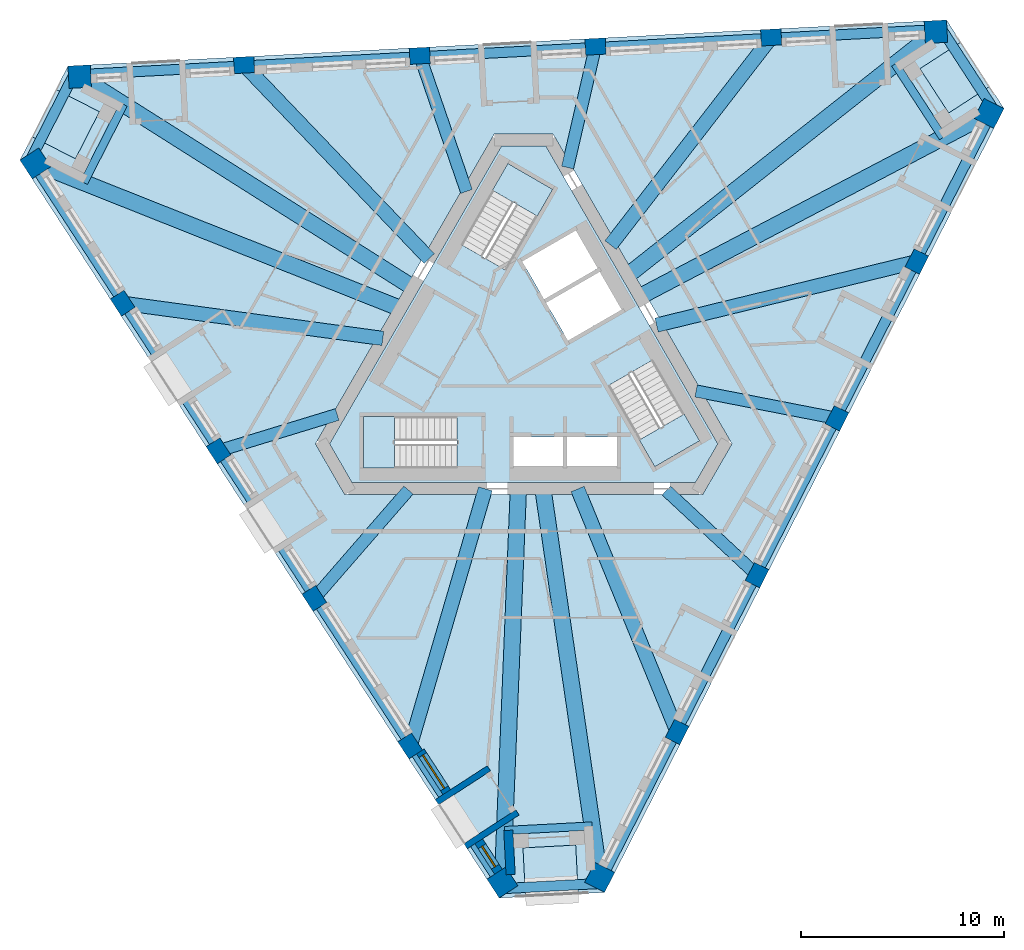
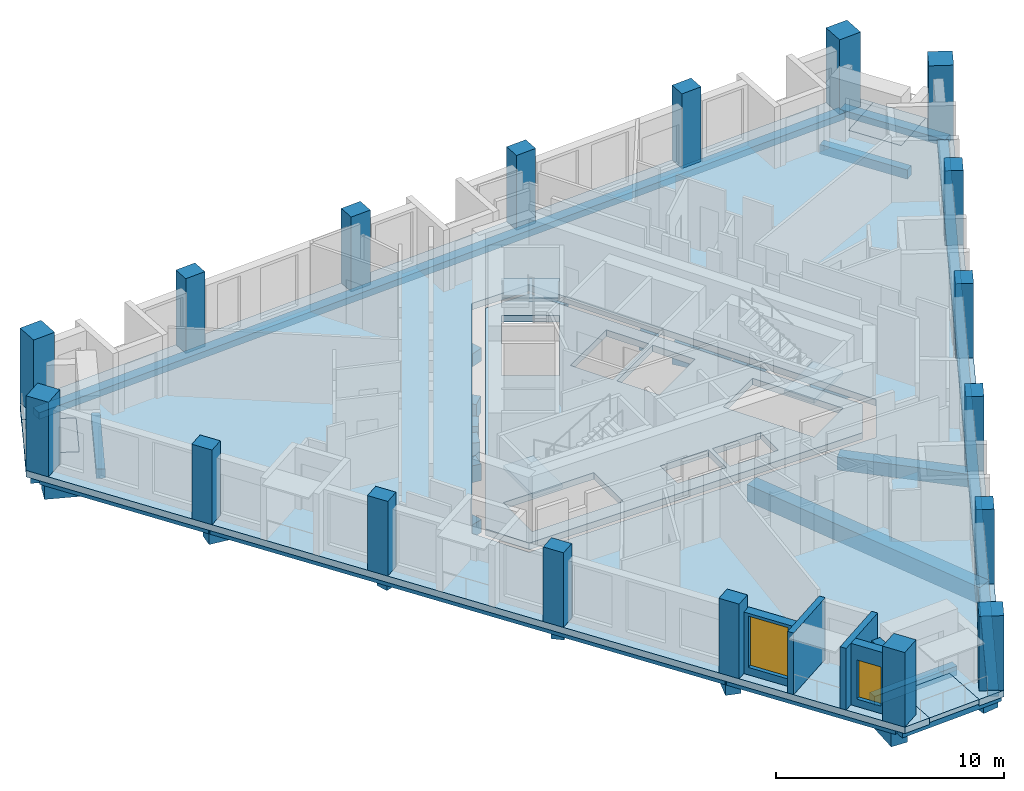
# One storey, part 1 of 13: 27 beams, 18 columns, 8 slabs, 5 walls, 2 windows, 2 openings, 3 elements without a shape of their own.
"""IFC4 building model written with IfcOpenShell, lengths in metres."""

from ifc_helpers import new_model, si_unit, direction, frame, frame_2d, origin, origin_2d, place, context, subcontext, project, spatial, polyline, rectangle, outline, extrude, material, layer, layer_set, material_profile, profile_set, type_object, element, fill, aggregate, save


model = new_model("IFC4")

# Units and contexts
model_context = context("Model", 3, precision=1e-05, world=origin(), true_north=direction((0.0, 1.0)))
body_context = subcontext(model_context, "Body", "Model", "MODEL_VIEW")
ifc_project = project(units=[si_unit("LENGTHUNIT", "METRE"), si_unit("AREAUNIT", "SQUARE_METRE"), si_unit("VOLUMEUNIT", "CUBIC_METRE"), si_unit("PLANEANGLEUNIT", "RADIAN"), si_unit("MASSUNIT", "GRAM", prefix="KILO")], contexts=[model_context])

# Site, building, storey
site_placement = place(None, origin())
site = spatial("IfcSite", under=ifc_project, at=site_placement, CompositionType="ELEMENT")
building_placement = place(site_placement, origin())
building = spatial("IfcBuilding", under=site, at=building_placement, Name="Tramontana Tower", CompositionType="ELEMENT")
storey_placement = place(building_placement, frame((0.0, 0.0, 290.39990234375)))
storey = spatial("IfcBuildingStorey", under=building, at=storey_placement, Name="L68", CompositionType="ELEMENT", Elevation=290.39990234375)

# Columns
ifc_material_1 = material(Name="Concrete 55 MPa", Category="concrete")
ifc_material_profile_1 = material_profile(ifc_material_1, rectangle(XDim=1.10009765625, YDim=1.10009765625, at=origin_2d()), Name="Mega column 1100X1100 55 MPa")
ifc_profile_set_1 = profile_set([ifc_material_profile_1], Name="Concrete 55 MPa")
column_type_1 = type_object("IfcColumnType", Name="Mega column 1100X1100 55 MPa", PredefinedType="COLUMN", material=ifc_profile_set_1)
for number, where, z_axis, x_axis, name in (
    (1, (-24.0302734375, 9.55419921875, 0.0), (0.0, 0.0, 1.0), (0.544639035015, -0.838670567945, 0.0), "Mega column C7K1 L68"),
    (2, (-1.0458984375, -25.8388671875, 0.0), (0.0, 0.0, 1.0), (0.544639035015, -0.838670567945, 0.0), "Mega column C7K2 L68"),
    (3, (3.740966796875, -25.587890625, 0.0), (0.0, 0.0, 1.0), (0.45399049974, 0.891006524188, 0.0), "Mega column C7K3 L68"),
    (4, (22.900146484375, 12.013671875, 0.0), (0.0, 0.0, 1.0), (0.45399049974, 0.891006524188, 0.0), "Mega column C7K4 L68"),
    (5, (20.289306640625, 16.033935546875, 0.0), (0.0, 0.0, 1.0), (-0.998629534755, -0.052335956243, 0.0), "Mega column C7K5 L68"),
    (6, (-21.854248046875, 13.8251953125, 0.0), (0.0, 0.0, 1.0), (-0.998629534755, -0.052335956243, 0.0), "Mega column C7K6 L68"),
):
    element("IfcColumn", number, at=place(storey_placement, frame(where, z_axis=z_axis, x_axis=x_axis)), inside=storey, type_object=column_type_1, Name=name, PredefinedType="COLUMN", context=body_context, shape_type="SweptSolid", body=[
        extrude(rectangle(XDim=1.10009765625, YDim=1.10009765625, at=origin_2d()), origin(), (0.0, 0.0, 1.0), 4.0),
    ])
ifc_material_2 = material(Name="Concrete 55 MPa", Category="concrete")
ifc_material_profile_2 = material_profile(ifc_material_2, rectangle(XDim=1.0, YDim=0.800048828125, at=origin_2d()), Name="Pier column 1000X800 55 MPa")
ifc_profile_set_2 = profile_set([ifc_material_profile_2], Name="Concrete 55 MPa")
column_type_2 = type_object("IfcColumnType", Name="Pier column 1000X800 55 MPa", PredefinedType="COLUMN", material=ifc_profile_set_2)
for number, where, z_axis, x_axis, name in (
    (7, (-19.739013671875, 2.670654296875, 0.0), (0.0, 0.0, 1.0), (0.544639035015, -0.838670567945, 0.0), "Pier column C7F01 L68"),
    (8, (-15.022216796875, -4.592529296875, 0.0), (0.0, 0.0, 1.0), (0.544639035015, -0.838670567945, 0.0), "Pier column C7F02 L68"),
    (9, (-10.3056640625, -11.855712890625, 0.0), (0.0, 0.0, 1.0), (0.544639035015, -0.838670567945, 0.0), "Pier column C7F03 L68"),
    (10, (-5.5888671875, -19.11865234375, 0.0), (0.0, 0.0, 1.0), (0.544639035015, -0.838670567945, 0.0), "Pier column C7F04 L68"),
    (11, (7.556640625, -18.4296875, 0.0), (0.0, 0.0, 1.0), (0.45399049974, 0.891006524188, 0.0), "Pier column C7F05 L68"),
    (12, (11.48828125, -10.71337890625, 0.0), (0.0, 0.0, 1.0), (0.45399049974, 0.891006524188, 0.0), "Pier column C7F06 L68"),
    (13, (15.419921875, -2.9970703125, 0.0), (0.0, 0.0, 1.0), (0.45399049974, 0.891006524188, 0.0), "Pier column C7F07 L68"),
    (14, (19.351806640625, 4.71923828125, 0.0), (0.0, 0.0, 1.0), (0.45399049974, 0.891006524188, 0.0), "Pier column C7F08 L68"),
    (15, (12.182373046875, 15.75927734375, 0.0), (0.0, 0.0, 1.0), (-0.998629534755, -0.052335956243, 0.0), "Pier column C7F09 L68"),
    (16, (3.533935546875, 15.305908203125, 0.0), (0.0, 0.0, 1.0), (-0.998629534755, -0.052335956243, 0.0), "Pier column C7F10 L68"),
    (17, (-5.114501953125, 14.852783203125, 0.0), (0.0, 0.0, 1.0), (-0.998629534755, -0.052335956243, 0.0), "Pier column C7F11 L68"),
    (18, (-13.762939453125, 14.3994140625, 0.0), (0.0, 0.0, 1.0), (-0.998629534755, -0.052335956243, 0.0), "Pier column C7F12 L68"),
):
    element("IfcColumn", number, at=place(storey_placement, frame(where, z_axis=z_axis, x_axis=x_axis)), inside=storey, type_object=column_type_2, Name=name, PredefinedType="COLUMN", context=body_context, shape_type="SweptSolid", body=[
        extrude(rectangle(XDim=1.0, YDim=0.800048828125, at=origin_2d()), origin(), (0.0, 0.0, 1.0), 4.0),
    ])

# Beams
ifc_material_3 = material(Name="Concrete 40 MPa", Category="concrete")
ifc_material_profile_3 = material_profile(ifc_material_3, rectangle(XDim=0.5, YDim=0.35009765625, at=origin_2d()), Name="RC EDGE BEAM 500X350 40 MPa")
ifc_profile_set_3 = profile_set([ifc_material_profile_3], Name="Concrete 40 MPa")
beam_type_1 = type_object("IfcBeamType", Name="RC EDGE BEAM 500X350 40 MPa", PredefinedType="SPANDREL", material=ifc_profile_set_3)
beam_1_placement = place(storey_placement, frame((-24.1142578125, 9.499755859375, -0.52490234375), z_axis=(0.544636517119, -0.838672203081, 0.0), x_axis=(0.838672203081, 0.544636517119, 0.0)))
element("IfcBeam", 19, at=beam_1_placement, inside=storey, type_object=beam_type_1, Name="Spandrel beam S0 L68", PredefinedType="SPANDREL", context=body_context, shape_type="SweptSolid", body=[
    extrude(rectangle(XDim=0.5, YDim=0.35009765625, at=origin_2d()), origin(), (0.0, 0.0, 1.0), 42.201416015625),
])
beam_2_placement = place(storey_placement, frame((3.830078125, -25.63330078125, -0.52490234375), z_axis=(0.453990170761, 0.891006691811, 0.0), x_axis=(-0.891006691811, 0.453990170761, 0.0)))
element("IfcBeam", 20, at=beam_2_placement, inside=storey, type_object=beam_type_1, Name="Spandrel beam S1 L68", PredefinedType="SPANDREL", context=body_context, shape_type="SweptSolid", body=[
    extrude(rectangle(XDim=0.5, YDim=0.35009765625, at=origin_2d()), origin(), (0.0, 0.0, 1.0), 42.201171875),
])
beam_3_placement = place(storey_placement, frame((20.2841796875, 16.1337890625, -0.52490234375), z_axis=(-0.998629423141, -0.052338085918, 0.0), x_axis=(0.052338085918, -0.998629423141, 0.0)))
element("IfcBeam", 21, at=beam_3_placement, inside=storey, type_object=beam_type_1, Name="Spandrel beam S2 L68", PredefinedType="SPANDREL", context=body_context, shape_type="SweptSolid", body=[
    extrude(rectangle(XDim=0.5, YDim=0.35009765625, at=origin_2d()), origin(), (0.0, 0.0, 1.0), 42.201416015625),
])
for number, where, z_axis, x_axis, name in (
    (22, (-22.03125, 14.141357421875, -0.52490234375), (-0.453966603753, -0.891018699398, 0.0), (0.891018699398, -0.453966603753, 0.0), "Spandrel beam K0 L68"),
    (23, (-1.231201171875, -26.150390625, -0.52490234375), (0.99862935635, 0.05233936029, 0.0), (-0.05233936029, 0.99862935635, 0.0), "Spandrel beam K1 L68"),
    (24, (23.262451171875, 12.0087890625, -0.52490234375), (-0.544641495757, 0.838668969916, 0.0), (-0.838668969916, -0.544641495757, 0.0), "Spandrel beam K2 L68"),
):
    element("IfcBeam", number, at=place(storey_placement, frame(where, z_axis=z_axis, x_axis=x_axis)), inside=storey, type_object=beam_type_1, Name=name, PredefinedType="SPANDREL", context=body_context, shape_type="SweptSolid", body=[
        extrude(rectangle(XDim=0.5, YDim=0.35009765625, at=origin_2d()), origin(), (0.0, 0.0, 1.0), 5.1962890625),
    ])
ifc_material_4 = material(Name="Concrete 40 MPa", Category="concrete")
ifc_material_profile_4 = material_profile(ifc_material_4, rectangle(XDim=0.60009765625, YDim=0.699951171875, at=origin_2d()), Name="RC GIRDER 600X700 40 MPa")
ifc_profile_set_4 = profile_set([ifc_material_profile_4], Name="Concrete 40 MPa")
beam_type_2 = type_object("IfcBeamType", Name="RC GIRDER 600X700 40 MPa", PredefinedType="BEAM", material=ifc_profile_set_4)
beam_4_placement = place(storey_placement, frame((-15.022216796875, -4.592529296875, -0.699951171875), z_axis=(0.956311245936, 0.292350476137, 0.0), x_axis=(-0.292350476137, 0.956311245936, 0.0)))
element("IfcBeam", 25, at=beam_4_placement, inside=storey, type_object=beam_type_2, Name="Radial girder C7F02 L68", PredefinedType="BEAM", context=body_context, shape_type="SweptSolid", body=[
    extrude(rectangle(XDim=0.60009765625, YDim=0.699951171875, at=origin_2d()), origin(), (0.0, 0.0, 1.0), 6.111328125),
])
beam_5_placement = place(storey_placement, frame((-10.3056640625, -11.855712890625, -0.699951171875), z_axis=(0.656054652409, 0.754713384705, 0.0), x_axis=(-0.754713384705, 0.656054652409, 0.0)))
element("IfcBeam", 26, at=beam_5_placement, inside=storey, type_object=beam_type_2, Name="Radial girder C7F03 L68", PredefinedType="BEAM", context=body_context, shape_type="SweptSolid", body=[
    extrude(rectangle(XDim=0.60009765625, YDim=0.699951171875, at=origin_2d()), origin(), (0.0, 0.0, 1.0), 7.06494140625),
])
beam_6_placement = place(storey_placement, frame((11.48828125, -10.71337890625, -0.699951171875), z_axis=(-0.731344808312, 0.682007896843, 0.0), x_axis=(-0.682007896843, -0.731344808312, 0.0)))
element("IfcBeam", 27, at=beam_6_placement, inside=storey, type_object=beam_type_2, Name="Radial girder C7F06 L68", PredefinedType="BEAM", context=body_context, shape_type="SweptSolid", body=[
    extrude(rectangle(XDim=0.60009765625, YDim=0.699951171875, at=origin_2d()), origin(), (0.0, 0.0, 1.0), 6.111328125),
])
beam_7_placement = place(storey_placement, frame((15.419921875, -2.9970703125, -0.699951171875), z_axis=(-0.981630853668, 0.190790112761, 0.0), x_axis=(-0.190790112761, -0.981630853668, 0.0)))
element("IfcBeam", 28, at=beam_7_placement, inside=storey, type_object=beam_type_2, Name="Radial girder C7F07 L68", PredefinedType="BEAM", context=body_context, shape_type="SweptSolid", body=[
    extrude(rectangle(XDim=0.60009765625, YDim=0.699951171875, at=origin_2d()), origin(), (0.0, 0.0, 1.0), 7.06494140625),
])
beam_8_placement = place(storey_placement, frame((3.533935546875, 15.305908203125, -0.699951171875), z_axis=(-0.224955788451, -0.974368971818, 0.0), x_axis=(0.974368971818, -0.224955788451, 0.0)))
element("IfcBeam", 29, at=beam_8_placement, inside=storey, type_object=beam_type_2, Name="Radial girder C7F10 L68", PredefinedType="BEAM", context=body_context, shape_type="SweptSolid", body=[
    extrude(rectangle(XDim=0.60009765625, YDim=0.699951171875, at=origin_2d()), origin(), (0.0, 0.0, 1.0), 6.111328125),
])
beam_9_placement = place(storey_placement, frame((-5.114501953125, 14.852783203125, -0.699951171875), z_axis=(0.325583843266, -0.945513173364, 0.0), x_axis=(0.945513173364, 0.325583843266, 0.0)))
element("IfcBeam", 30, at=beam_9_placement, inside=storey, type_object=beam_type_2, Name="Radial girder C7F11 L68", PredefinedType="BEAM", context=body_context, shape_type="SweptSolid", body=[
    extrude(rectangle(XDim=0.60009765625, YDim=0.699951171875, at=origin_2d()), origin(), (0.0, 0.0, 1.0), 7.065185546875),
])
ifc_material_5 = material(Name="Concrete 40 MPa", Category="concrete")
ifc_material_profile_5 = material_profile(ifc_material_5, rectangle(XDim=0.699951171875, YDim=0.89990234375, at=origin_2d()), Name="RC GIRDER 700X900 40 MPa")
ifc_profile_set_5 = profile_set([ifc_material_profile_5], Name="Concrete 40 MPa")
beam_type_3 = type_object("IfcBeamType", Name="RC GIRDER 700X900 40 MPa", PredefinedType="BEAM", material=ifc_profile_set_5)
beam_10_placement = place(storey_placement, frame((-19.739013671875, 2.670654296875, -0.7998046875), z_axis=(0.990971820042, -0.134070324396, 0.0), x_axis=(0.134070324396, 0.990971820042, 0.0)))
element("IfcBeam", 31, at=beam_10_placement, inside=storey, type_object=beam_type_3, Name="Radial girder C7F01 L68", PredefinedType="BEAM", context=body_context, shape_type="SweptSolid", body=[
    extrude(rectangle(XDim=0.699951171875, YDim=0.89990234375, at=origin_2d()), origin(), (0.0, 0.0, 1.0), 12.923583984375),
])
beam_11_placement = place(storey_placement, frame((-5.5888671875, -19.11865234375, -0.7998046875), z_axis=(0.280592184152, 0.959827081402, 0.0), x_axis=(-0.959827081402, 0.280592184152, 0.0)))
element("IfcBeam", 32, at=beam_11_placement, inside=storey, type_object=beam_type_3, Name="Radial girder C7F04 L68", PredefinedType="BEAM", context=body_context, shape_type="SweptSolid", body=[
    extrude(rectangle(XDim=0.699951171875, YDim=0.89990234375, at=origin_2d()), origin(), (0.0, 0.0, 1.0), 13.186279296875),
])
beam_12_placement = place(storey_placement, frame((7.556640625, -18.4296875, -0.7998046875), z_axis=(-0.379376408021, 0.925242422848, 0.0), x_axis=(-0.925242422848, -0.379376408021, 0.0)))
element("IfcBeam", 33, at=beam_12_placement, inside=storey, type_object=beam_type_3, Name="Radial girder C7F05 L68", PredefinedType="BEAM", context=body_context, shape_type="SweptSolid", body=[
    extrude(rectangle(XDim=0.699951171875, YDim=0.89990234375, at=origin_2d()), origin(), (0.0, 0.0, 1.0), 12.92333984375),
])
beam_13_placement = place(storey_placement, frame((19.351806640625, 4.71923828125, -0.7998046875), z_axis=(-0.971531149173, -0.2369118532, 0.0), x_axis=(0.2369118532, -0.971531149173, 0.0)))
element("IfcBeam", 34, at=beam_13_placement, inside=storey, type_object=beam_type_3, Name="Radial girder C7F08 L68", PredefinedType="BEAM", context=body_context, shape_type="SweptSolid", body=[
    extrude(rectangle(XDim=0.699951171875, YDim=0.89990234375, at=origin_2d()), origin(), (0.0, 0.0, 1.0), 13.1865234375),
])
beam_14_placement = place(storey_placement, frame((12.182373046875, 15.75927734375, -0.7998046875), z_axis=(-0.611594268049, -0.791171568808, 0.0), x_axis=(0.791171568808, -0.611594268049, 0.0)))
element("IfcBeam", 35, at=beam_14_placement, inside=storey, type_object=beam_type_3, Name="Radial girder C7F09 L68", PredefinedType="BEAM", context=body_context, shape_type="SweptSolid", body=[
    extrude(rectangle(XDim=0.699951171875, YDim=0.89990234375, at=origin_2d()), origin(), (0.0, 0.0, 1.0), 12.923583984375),
])
beam_15_placement = place(storey_placement, frame((-13.762939453125, 14.3994140625, -0.7998046875), z_axis=(0.69094809316, -0.722904373039, 0.0), x_axis=(0.722904373039, 0.69094809316, 0.0)))
element("IfcBeam", 36, at=beam_15_placement, inside=storey, type_object=beam_type_3, Name="Radial girder C7F12 L68", PredefinedType="BEAM", context=body_context, shape_type="SweptSolid", body=[
    extrude(rectangle(XDim=0.699951171875, YDim=0.89990234375, at=origin_2d()), origin(), (0.0, 0.0, 1.0), 13.186279296875),
])
ifc_material_6 = material(Name="Concrete 40 MPa", Category="concrete")
ifc_material_profile_6 = material_profile(ifc_material_6, rectangle(XDim=0.800048828125, YDim=1.10009765625, at=origin_2d()), Name="RC GIRDER 800X1100 40 MPa")
ifc_profile_set_6 = profile_set([ifc_material_profile_6], Name="Concrete 40 MPa")
beam_type_4 = type_object("IfcBeamType", Name="RC GIRDER 800X1100 40 MPa", PredefinedType="BEAM", material=ifc_profile_set_6)
beam_16_placement = place(storey_placement, frame((-24.030517578125, 9.55419921875, -0.89990234375), z_axis=(0.929246961318, -0.369459178912, 0.0), x_axis=(0.369459178912, 0.929246961318, 0.0)))
element("IfcBeam", 37, at=beam_16_placement, inside=storey, type_object=beam_type_4, Name="Radial girder C7K1 L68", PredefinedType="BEAM", context=body_context, shape_type="SweptSolid", body=[
    extrude(rectangle(XDim=0.800048828125, YDim=1.10009765625, at=origin_2d()), origin(), (0.0, 0.0, 1.0), 19.33837890625),
])
beam_17_placement = place(storey_placement, frame((-1.0458984375, -25.8388671875, -0.89990234375), z_axis=(0.040449893492, 0.999181568143, 0.0), x_axis=(-0.999181568143, 0.040449893492, 0.0)))
element("IfcBeam", 38, at=beam_17_placement, inside=storey, type_object=beam_type_4, Name="Radial girder C7K2 L68", PredefinedType="BEAM", context=body_context, shape_type="SweptSolid", body=[
    extrude(rectangle(XDim=0.800048828125, YDim=1.10009765625, at=origin_2d()), origin(), (0.0, 0.0, 1.0), 19.404541015625),
])
beam_18_placement = place(storey_placement, frame((3.7412109375, -25.587890625, -0.89990234375), z_axis=(-0.144667438406, 0.989480334451, 0.0), x_axis=(-0.989480334451, -0.144667438406, 0.0)))
element("IfcBeam", 39, at=beam_18_placement, inside=storey, type_object=beam_type_4, Name="Radial girder C7K3 L68", PredefinedType="BEAM", context=body_context, shape_type="SweptSolid", body=[
    extrude(rectangle(XDim=0.800048828125, YDim=1.10009765625, at=origin_2d()), origin(), (0.0, 0.0, 1.0), 19.338134765625),
])
beam_19_placement = place(storey_placement, frame((22.89990234375, 12.013671875, -0.89990234375), z_axis=(-0.885538061337, -0.46456683257, 0.0), x_axis=(0.46456683257, -0.885538061337, 0.0)))
element("IfcBeam", 40, at=beam_19_placement, inside=storey, type_object=beam_type_4, Name="Radial girder C7K4 L68", PredefinedType="BEAM", context=body_context, shape_type="SweptSolid", body=[
    extrude(rectangle(XDim=0.800048828125, YDim=1.10009765625, at=origin_2d()), origin(), (0.0, 0.0, 1.0), 19.404296875),
])
beam_20_placement = place(storey_placement, frame((20.289306640625, 16.03369140625, -0.89990234375), z_axis=(-0.784585689125, -0.620020400003, 0.0), x_axis=(0.620020400003, -0.784585689125, 0.0)))
element("IfcBeam", 41, at=beam_20_placement, inside=storey, type_object=beam_type_4, Name="Radial girder C7K5 L68", PredefinedType="BEAM", context=body_context, shape_type="SweptSolid", body=[
    extrude(rectangle(XDim=0.800048828125, YDim=1.10009765625, at=origin_2d()), origin(), (0.0, 0.0, 1.0), 19.338134765625),
])
beam_21_placement = place(storey_placement, frame((-21.85400390625, 13.8251953125, -0.89990234375), z_axis=(0.845090437102, -0.53462337502, 0.0), x_axis=(0.53462337502, 0.845090437102, 0.0)))
element("IfcBeam", 42, at=beam_21_placement, inside=storey, type_object=beam_type_4, Name="Radial girder C7K6 L68", PredefinedType="BEAM", context=body_context, shape_type="SweptSolid", body=[
    extrude(rectangle(XDim=0.800048828125, YDim=1.10009765625, at=origin_2d()), origin(), (0.0, 0.0, 1.0), 19.404296875),
])
ifc_material_7 = material(Name="Concrete 40 MPa", Category="concrete")
ifc_material_profile_7 = material_profile(ifc_material_7, rectangle(XDim=0.39990234375, YDim=0.5, at=origin_2d()), Name="RC TRIM BEAM 400X500 40 MPa")
ifc_profile_set_7 = profile_set([ifc_material_profile_7], Name="Concrete 40 MPa")
beam_type_5 = type_object("IfcBeamType", Name="RC TRIM BEAM 400X500 40 MPa", PredefinedType="JOIST", material=ifc_profile_set_7)
for number, where, z_axis, x_axis, name in (
    (43, (-19.69091796875, 12.456787109375, -0.599853515625), (-0.454006220993, -0.890998513635, 0.0), (0.890998513635, -0.454006220993, 0.0), "Trimmer beam K0 L68"),
    (44, (-0.9423828125, -23.28125, -0.599853515625), (0.998629204559, 0.052342256377, 0.0), (-0.052342256377, 0.998629204559, 0.0), "Trimmer beam K1 L68"),
    (45, (20.63330078125, 10.824462890625, -0.599853515625), (-0.544628679426, 0.838677292853, 0.0), (-0.838677292853, -0.544628679426, 0.0), "Trimmer beam K2 L68"),
):
    element("IfcBeam", number, at=place(storey_placement, frame(where, z_axis=z_axis, x_axis=x_axis)), inside=storey, type_object=beam_type_5, Name=name, PredefinedType="JOIST", context=body_context, shape_type="SweptSolid", body=[
        extrude(rectangle(XDim=0.39990234375, YDim=0.5, at=origin_2d()), origin(), (0.0, 0.0, 1.0), 4.319091796875),
    ])

# Slabs
ifc_material_8 = material(Name="Precast concrete 50 MPa", Category="concrete")
ifc_layer_1 = layer(ifc_material_8, 0.25)
ifc_layer_set_1 = layer_set([ifc_layer_1], Name="LT1 Loggia floor tray 250")
slab_type_1 = type_object("IfcSlabType", Name="LT1 Loggia floor tray 250", PredefinedType="FLOOR", material=ifc_layer_set_1)
slab_1_placement = place(storey_placement, frame((0.0, 0.0, -0.25)))
element("IfcSlab", 46, at=slab_1_placement, inside=storey, type_object=slab_type_1, Name="Corner loggia floor L68 K70", PredefinedType="FLOOR", context=body_context, shape_type="SweptSolid", body=[
    extrude(outline(polyline([(-23.021484375, 13.18896484375), (-20.883056640625, 12.099365234375), (-22.0634765625, 9.782958984375), (-24.201904296875, 10.87255859375), (-23.021484375, 13.18896484375)])), origin(), (0.0, 0.0, 1.0), 0.25),
])
slab_2_placement = place(storey_placement, frame((0.0, 0.0, -0.25)))
element("IfcSlab", 47, at=slab_2_placement, inside=storey, type_object=slab_type_1, Name="Corner loggia floor L68 K71", PredefinedType="FLOOR", context=body_context, shape_type="SweptSolid", body=[
    extrude(outline(polyline([(0.088623046875, -26.53173828125), (-0.036865234375, -24.135009765625), (2.5595703125, -23.9990234375), (2.68505859375, -26.395751953125), (0.088623046875, -26.53173828125)])), origin(), (0.0, 0.0, 1.0), 0.25),
])
slab_3_placement = place(storey_placement, frame((0.0, 0.0, -0.25)))
element("IfcSlab", 48, at=slab_3_placement, inside=storey, type_object=slab_type_1, Name="Corner loggia floor L68 K72", PredefinedType="FLOOR", context=body_context, shape_type="SweptSolid", body=[
    extrude(outline(polyline([(22.932861328125, 13.3427734375), (20.919921875, 12.03564453125), (19.50390625, 14.216064453125), (21.516845703125, 15.523193359375), (22.932861328125, 13.3427734375)])), origin(), (0.0, 0.0, 1.0), 0.25),
])
ifc_material_9 = material(Name="Concrete 40 MPa", Category="concrete")
ifc_layer_2 = layer(ifc_material_9, 0.35009765625)
ifc_layer_set_2 = layer_set([ifc_layer_2], Name="PT FLAT SLAB 350 40 MPa")
slab_type_2 = type_object("IfcSlabType", Name="PT FLAT SLAB 350 40 MPa", PredefinedType="FLOOR", material=ifc_layer_set_2)
slab_4_placement = place(storey_placement, frame((0.0, 0.0, -0.349853515625)))
element("IfcSlab", 49, at=slab_4_placement, inside=storey, type_object=slab_type_2, Name="Floor slab L68", PredefinedType="FLOOR", context=body_context, shape_type="SweptSolid", body=[
    extrude(outline(polyline([(21.5166015625, 15.523193359375), (19.50390625, 14.216064453125), (20.919921875, 12.035400390625), (22.932861328125, 13.3427734375), (23.639892578125, 12.25390625), (3.9814453125, -26.32763671875), (2.68505859375, -26.3955078125), (2.5595703125, -23.998779296875), (-0.036865234375, -24.135009765625), (0.088623046875, -26.53173828125), (-1.20751953125, -26.599609375), (-24.791259765625, 9.7158203125), (-24.201904296875, 10.872314453125), (-22.0634765625, 9.782958984375), (-20.883056640625, 12.099609375), (-23.021484375, 13.189208984375), (-22.43212890625, 14.345703125), (20.809814453125, 16.61181640625), (21.5166015625, 15.523193359375)]), holes=[polyline([(-10.248046875, -4.25), (-8.8046875, -6.75), (8.8046875, -6.75), (10.248046875, -4.25), (1.443359375, 11.0), (-1.443359375, 11.0), (-10.248046875, -4.25)])]), origin(), (0.0, 0.0, 1.0), 0.349853515625),
])
slab_5_placement = place(storey_placement, frame((0.0, 0.0, -0.349853515625)))
element("IfcSlab", 50, at=slab_5_placement, inside=storey, type_object=slab_type_2, Name="Core floor slab L68", PredefinedType="FLOOR", context=body_context, shape_type="SweptSolid", body=[
    extrude(outline(polyline([(9.55517578125, -4.25), (8.458251953125, -6.14990234375), (-8.458251953125, -6.14990234375), (-9.55517578125, -4.25), (-1.096923828125, 10.39990234375), (1.096923828125, 10.39990234375), (9.55517578125, -4.25)]), holes=[polyline([(8.659912109375, -4.099365234375), (6.35986328125, -0.115478515625), (4.151611328125, -1.390625), (6.451416015625, -5.374267578125), (8.659912109375, -4.099365234375)]), polyline([(3.829833984375, 4.2666015625), (1.101806640625, 2.69140625), (2.177001953125, 0.82958984375), (4.90478515625, 2.404541015625), (3.829833984375, 4.2666015625)]), polyline([(4.590087890625, -3.89990234375), (2.139892578125, -3.89990234375), (2.139892578125, -5.449951171875), (4.590087890625, -5.449951171875), (4.590087890625, -3.89990234375)]), polyline([(2.65478515625, 6.3017578125), (-0.072998046875, 4.726806640625), (1.001953125, 2.86474609375), (3.729736328125, 4.439697265625), (2.65478515625, 6.3017578125)]), polyline([(1.93994140625, -5.449951171875), (1.93994140625, -3.89990234375), (-0.510009765625, -3.89990234375), (-0.510009765625, -5.449951171875), (1.93994140625, -5.449951171875)]), polyline([(-0.77978515625, 9.54931640625), (-3.079833984375, 5.565673828125), (-0.87158203125, 4.29052734375), (1.428466796875, 8.2744140625), (-0.77978515625, 9.54931640625)]), polyline([(-7.8798828125, -5.449951171875), (-3.280029296875, -5.449951171875), (-3.280029296875, -2.89990234375), (-7.8798828125, -2.89990234375), (-7.8798828125, -5.449951171875)])]), origin(), (0.0, 0.0, 1.0), 0.349853515625),
])

# Stair, slab
ifc_material_10 = material(Name="Concrete 40 MPa", Category="concrete")
stair_type = type_object("IfcStairType", Name="EXIT STAIR 24 RISERS", PredefinedType="HALF_TURN_STAIR", material=ifc_material_10)
stair_1_placement = place(storey_placement, origin())
stair_1 = element("IfcStair", 51, at=stair_1_placement, inside=storey, type_object=stair_type, Name="L68 Exit stair ST1", PredefinedType="HALF_TURN_STAIR")
ifc_material_11 = material(Name="Concrete 40 MPa", Category="concrete")
ifc_layer_3 = layer(ifc_material_11, 0.199951171875)
ifc_layer_set_3 = layer_set([ifc_layer_3], Name="STAIR LANDING 200")
slab_type_3 = type_object("IfcSlabType", Name="STAIR LANDING 200", PredefinedType="LANDING", material=ifc_layer_set_3)
slab_6_placement = place(storey_placement, frame((0.0, 0.0, 1.800048828125)))
slab_6 = element("IfcSlab", 52, at=slab_6_placement, type_object=slab_type_3, Name="ST1 landing 1", PredefinedType="LANDING", context=body_context, shape_type="SweptSolid", body=[
    extrude(outline(polyline([(0.66845703125, 6.9580078125), (1.428466796875, 8.274169921875), (-0.77978515625, 9.54931640625), (-1.539794921875, 8.23291015625), (0.66845703125, 6.9580078125)])), origin(), (0.0, 0.0, 1.0), 0.199951171875),
])
aggregate(stair_1, [slab_6])

stair_2_placement = place(storey_placement, origin())
stair_2 = element("IfcStair", 53, at=stair_2_placement, inside=storey, type_object=stair_type, Name="L68 Exit stair ST2", PredefinedType="HALF_TURN_STAIR")
slab_7_placement = place(storey_placement, frame((0.0, 0.0, 1.800048828125)))
slab_7 = element("IfcSlab", 54, at=slab_7_placement, type_object=slab_type_3, Name="ST2 landing 1", PredefinedType="LANDING", context=body_context, shape_type="SweptSolid", body=[
    extrude(outline(polyline([(-6.360107421875, -2.89990234375), (-7.8798828125, -2.89990234375), (-7.8798828125, -5.449951171875), (-6.360107421875, -5.449951171875), (-6.360107421875, -2.89990234375)])), origin(), (0.0, 0.0, 1.0), 0.199951171875),
])
aggregate(stair_2, [slab_7])

stair_3_placement = place(storey_placement, origin())
stair_3 = element("IfcStair", 55, at=stair_3_placement, inside=storey, type_object=stair_type, Name="L68 Exit stair ST3", PredefinedType="HALF_TURN_STAIR")
slab_8_placement = place(storey_placement, frame((0.0, 0.0, 1.800048828125)))
slab_8 = element("IfcSlab", 56, at=slab_8_placement, type_object=slab_type_3, Name="ST3 landing 1", PredefinedType="LANDING", context=body_context, shape_type="SweptSolid", body=[
    extrude(outline(polyline([(5.69140625, -4.057861328125), (6.451416015625, -5.374267578125), (8.659912109375, -4.099365234375), (7.89990234375, -2.782958984375), (5.69140625, -4.057861328125)])), origin(), (0.0, 0.0, 1.0), 0.199951171875),
])
aggregate(stair_3, [slab_8])

# Wall, opening, window
ifc_material_12 = material(Name="Precast concrete 60 MPa", Category="concrete")
ifc_layer_4 = layer(ifc_material_12, 0.449951171875)
ifc_layer_set_4 = layer_set([ifc_layer_4], Name="Precast concrete 60 MPa, 450 mm")
wall_type_1 = type_object("IfcWallType", Name="EW1 Stone-faced precast wall 450", PredefinedType="SOLIDWALL", material=ifc_layer_set_4)
wall_1_placement = place(storey_placement, frame((-5.0859375, -19.38818359375, 0.0), z_axis=(0.0, 0.0, 1.0), x_axis=(0.544675520966, -0.838646872563, 0.0)))
wall_1 = element("IfcWall", 57, at=wall_1_placement, inside=storey, type_object=wall_type_1, Name="External wall L68 face 0 bay 5", PredefinedType="SOLIDWALL", context=body_context, shape_type="SweptSolid", body=[
    extrude(rectangle(XDim=2.38671875, YDim=0.449951171875, at=frame_2d((1.193359375, 0.0))), origin(), (0.0, 0.0, 1.0), 3.300048828125),
])
opening_1_placement = place(wall_1_placement, frame((0.21826171875, 0.0, 0.39990234375)))
opening_1 = element("IfcOpeningElement", 58, at=opening_1_placement, cuts=wall_1, Name="Opening M3", PredefinedType="OPENING", context=body_context, shape_type="SweptSolid", body=[
    extrude(rectangle(XDim=1.949951171875, YDim=2.75, at=frame_2d((0.97509765625, 1.375))), frame((0.0, 0.23486328125, 0.0), z_axis=(0.0, -1.0, 0.0), x_axis=(1.0, 0.0, 0.0)), (0.0, 0.0, 1.0), 0.469970703125),
])
ifc_material_13 = material(Name="Aluminum frame, double glazing unit", Category="aluminium")
window_type_1 = type_object("IfcWindowType", Name="M3 Window 1.95 x 2.75", PartitioningType="SINGLE_PANEL", PredefinedType="WINDOW", material=ifc_material_13)
window_1_placement = place(opening_1_placement, origin())
window_1 = element("IfcWindow", 59, at=window_1_placement, inside=storey, type_object=window_type_1, Name="Window M3 L68 face 0 module 13", OverallHeight=2.75, OverallWidth=1.949951171875, PartitioningType="SINGLE_PANEL", PredefinedType="WINDOW", context=body_context, shape_type="SweptSolid", body=[
    extrude(rectangle(XDim=1.949951171875, YDim=2.75, at=frame_2d((0.97509765625, 1.375))), frame((0.0, 0.030029296875, 0.0), z_axis=(0.0, -1.0, 0.0), x_axis=(1.0, 0.0, 0.0)), (0.0, 0.0, 1.0), 0.06005859375),
])
fill(opening_1, window_1)

wall_2_placement = place(storey_placement, frame((-2.2138671875, -23.81103515625, 0.0), z_axis=(0.0, 0.0, 1.0), x_axis=(0.544632902776, -0.838674550236, 0.0)))
wall_2 = element("IfcWall", 60, at=wall_2_placement, inside=storey, type_object=wall_type_1, Name="External wall L68 face 0 bay 5", PredefinedType="SOLIDWALL", context=body_context, shape_type="SweptSolid", body=[
    extrude(rectangle(XDim=1.786865234375, YDim=0.449951171875, at=frame_2d((0.8935546875, 0.0))), origin(), (0.0, 0.0, 1.0), 3.300048828125),
])
opening_2_placement = place(wall_2_placement, frame((0.29345703125, 0.0, 0.39990234375)))
opening_2 = element("IfcOpeningElement", 61, at=opening_2_placement, cuts=wall_2, Name="Opening N3L", PredefinedType="OPENING", context=body_context, shape_type="SweptSolid", body=[
    extrude(rectangle(XDim=1.199951171875, YDim=2.10009765625, at=frame_2d((0.60009765625, 1.050048828125))), frame((0.0, 0.23486328125, 0.0), z_axis=(0.0, -1.0, 0.0), x_axis=(1.0, 0.0, 0.0)), (0.0, 0.0, 1.0), 0.469970703125),
])
ifc_material_14 = material(Name="Aluminum frame, double glazing unit", Category="aluminium")
window_type_2 = type_object("IfcWindowType", Name="N3L Window 1.2 x 2.1", PartitioningType="SINGLE_PANEL", PredefinedType="WINDOW", material=ifc_material_14)
window_2_placement = place(opening_2_placement, origin())
window_2 = element("IfcWindow", 62, at=window_2_placement, inside=storey, type_object=window_type_2, Name="Window N3L L68 face 0 module 15", OverallHeight=2.10009765625, OverallWidth=1.199951171875, PartitioningType="SINGLE_PANEL", PredefinedType="WINDOW", context=body_context, shape_type="SweptSolid", body=[
    extrude(rectangle(XDim=1.199951171875, YDim=2.10009765625, at=frame_2d((0.60009765625, 1.050048828125))), frame((0.0, 0.030029296875, 0.0), z_axis=(0.0, -1.0, 0.0), x_axis=(1.0, 0.0, 0.0)), (0.0, 0.0, 1.0), 0.06005859375),
])
fill(opening_2, window_2)

# Walls
wall_3_placement = place(storey_placement, frame((-0.64404296875, -25.44775390625, 0.0), z_axis=(0.0, 0.0, 1.0), x_axis=(-0.052317751649, 0.998630488651, 0.0)))
element("IfcWall", 63, at=wall_3_placement, inside=storey, type_object=wall_type_1, Name="Corner loggia side wall L68 K71r", PredefinedType="SOLIDWALL", context=body_context, shape_type="SweptSolid", body=[
    extrude(rectangle(XDim=2.17919921875, YDim=0.449951171875, at=frame_2d((1.089599609375, 0.0))), origin(), (0.0, 0.0, 1.0), 2.550048828125),
])
ifc_material_15 = material(Name="Precast concrete 60 MPa", Category="concrete")
ifc_layer_5 = layer(ifc_material_15, 0.300048828125)
ifc_layer_set_5 = layer_set([ifc_layer_5], Name="LW1 Stone-faced loggia wall 300")
wall_type_2 = type_object("IfcWallType", Name="LW1 Stone-faced loggia wall 300", PredefinedType="SOLIDWALL", material=ifc_layer_set_5)
wall_4_placement = place(storey_placement, frame((-4.2705078125, -21.88330078125, 0.0), z_axis=(0.0, 0.0, 1.0), x_axis=(0.838688583525, 0.544611292451, 0.0)))
element("IfcWall", 64, at=wall_4_placement, inside=storey, type_object=wall_type_2, Name="Loggia return L68 G7S0.13a", PredefinedType="SOLIDWALL", context=body_context, shape_type="SweptSolid", body=[
    extrude(rectangle(XDim=3.050048828125, YDim=0.300048828125, at=frame_2d((1.52490234375, 0.0))), origin(), (0.0, 0.0, 1.0), 3.300048828125),
])
wall_5_placement = place(storey_placement, frame((-2.861572265625, -24.052734375, 0.0), z_axis=(0.0, 0.0, 1.0), x_axis=(0.838664840319, 0.544647854685, 0.0)))
element("IfcWall", 65, at=wall_5_placement, inside=storey, type_object=wall_type_2, Name="Loggia return L68 G7S0.13b", PredefinedType="SOLIDWALL", context=body_context, shape_type="SweptSolid", body=[
    extrude(rectangle(XDim=3.0498046875, YDim=0.300048828125, at=frame_2d((1.52490234375, 0.0))), origin(), (0.0, 0.0, 1.0), 3.300048828125),
])

save(model, "model.ifc")
